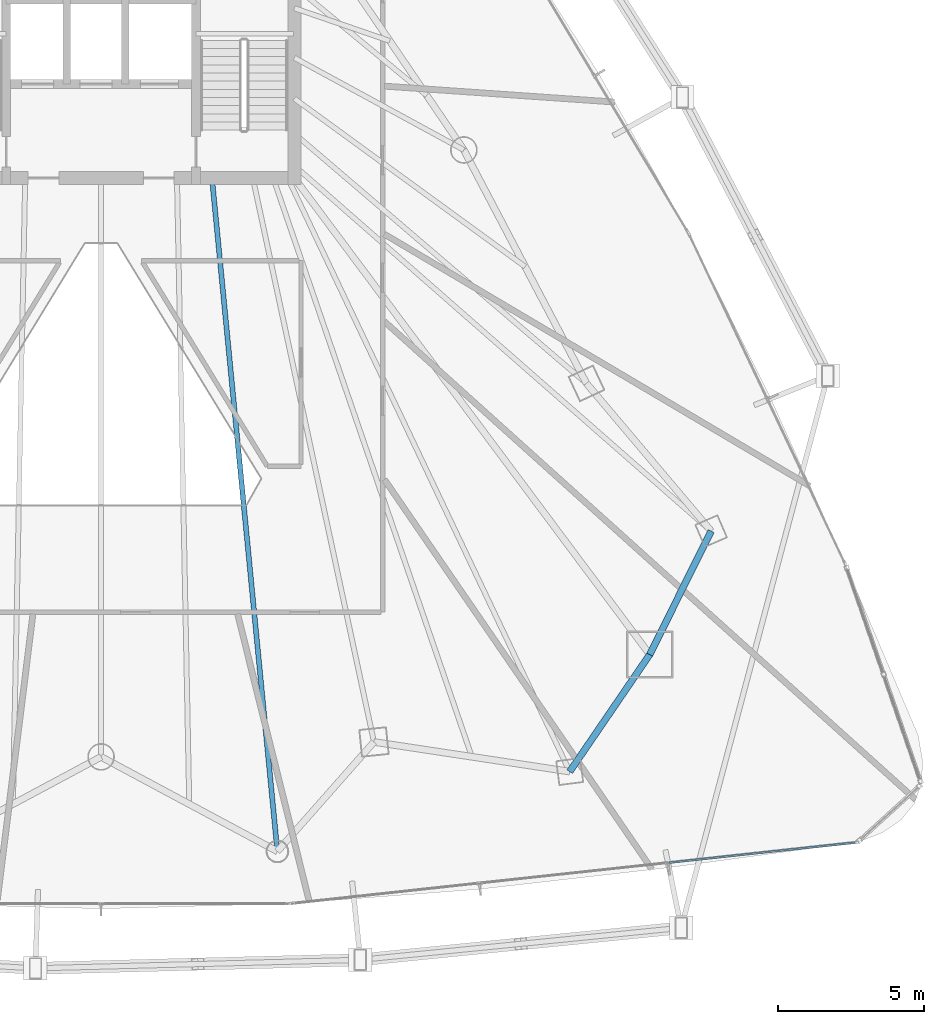
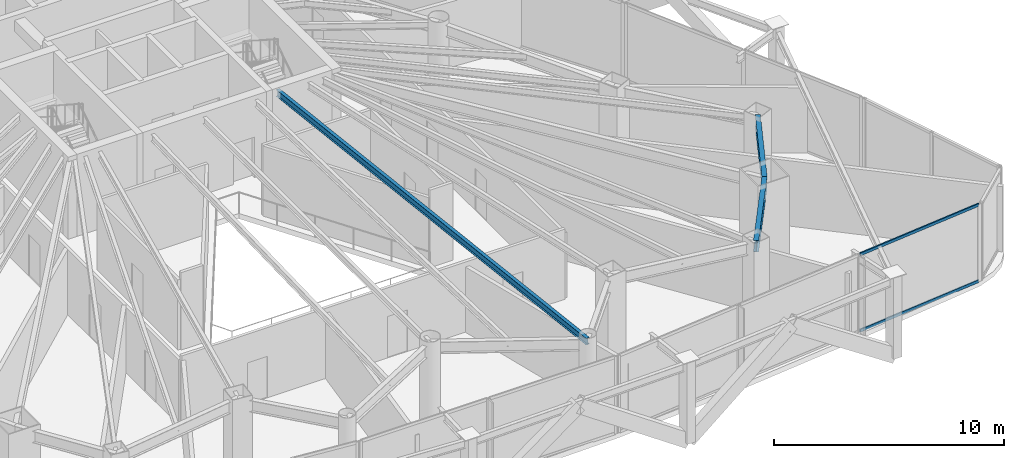
# One storey, part 13 of 33: 3 beams, 2 members, 1 element without a shape of its own.
"""IFC4 building model written with IfcOpenShell, lengths in metres."""

from ifc_helpers import new_model, si_unit, direction, frame, origin, origin_2d, place, context, subcontext, project, spatial, hollow_rectangle, i_section, extrude, material, layer, layer_set, material_profile, profile_set, type_object, element, aggregate, save


model = new_model("IFC4")

# Units and contexts
model_context = context("Model", 3, precision=1e-05, world=origin(), true_north=direction((0.0, 1.0)))
body_context = subcontext(model_context, "Body", "Model", "MODEL_VIEW")
ifc_project = project(units=[si_unit("LENGTHUNIT", "METRE"), si_unit("AREAUNIT", "SQUARE_METRE"), si_unit("VOLUMEUNIT", "CUBIC_METRE"), si_unit("PLANEANGLEUNIT", "RADIAN"), si_unit("MASSUNIT", "GRAM", prefix="KILO")], contexts=[model_context])

# Site, building, storey
site_placement = place(None, origin())
site = spatial("IfcSite", under=ifc_project, at=site_placement, CompositionType="ELEMENT")
building_placement = place(site_placement, origin())
building = spatial("IfcBuilding", under=site, at=building_placement, Name="Orvanel Arch Residences", CompositionType="ELEMENT")
storey_placement = place(building_placement, frame((0.0, 0.0, 59.89990234375)))
storey = spatial("IfcBuildingStorey", under=building, at=storey_placement, Name="L16", CompositionType="ELEMENT", Elevation=59.89990234375)

# Beams
ifc_material_1 = material(Name="Structural steel AS/NZS 3679.1 Grade 300 (300 MPa)", Category="steel")
ifc_material_profile_1 = material_profile(ifc_material_1, i_section(OverallWidth=0.1708984375, OverallDepth=0.35595703125, WebThickness=0.00732421875, FlangeThickness=0.011474609375, at=origin_2d()), Name="360UB50.7")
ifc_profile_set_1 = profile_set([ifc_material_profile_1], Name="Structural steel AS/NZS 3679.1 Grade 300 (300 MPa)")
beam_type_1 = type_object("IfcBeamType", Name="BJ-360UB", PredefinedType="JOIST", material=ifc_profile_set_1)
beam_1_placement = place(storey_placement, frame((36.800048828125, 26.675048828125, 3.93212890625), z_axis=(0.096724091756, -0.995311232768, 0.0), x_axis=(0.995311232768, 0.096724091756, 0.0)))
element("IfcBeam", 1, at=beam_1_placement, inside=storey, type_object=beam_type_1, Name="L16 LSE Wing Floor Joist", PredefinedType="JOIST", context=body_context, shape_type="SweptSolid", body=[
    extrude(i_section(OverallWidth=0.1708984375, OverallDepth=0.35595703125, WebThickness=0.00732421875, FlangeThickness=0.011474609375, at=origin_2d()), origin(), (0.0, 0.0, 1.0), 23.1787109375),
])
ifc_material_profile_2 = material_profile(ifc_material_1, i_section(OverallWidth=0.22900390625, OverallDepth=0.612060546875, WebThickness=0.011962890625, FlangeThickness=0.01953125, at=origin_2d()), Name="610UB125")
ifc_profile_set_2 = profile_set([ifc_material_profile_2], Name="Structural steel AS/NZS 3679.1 Grade 300 (300 MPa)")
beam_type_2 = type_object("IfcBeamType", Name="SP-610UB", PredefinedType="SPANDREL", material=ifc_profile_set_2)
beam_2_placement = place(storey_placement, frame((49.05908203125, 6.339111328125, 3.80419921875), z_axis=(0.564251579852, 0.825602903722, 0.0), x_axis=(-0.825602903722, 0.564251579852, 0.0)))
element("IfcBeam", 2, at=beam_2_placement, inside=storey, type_object=beam_type_2, Name="L16 Perimeter Spandrel Beam 10", PredefinedType="SPANDREL", context=body_context, shape_type="SweptSolid", body=[
    extrude(i_section(OverallWidth=0.22900390625, OverallDepth=0.612060546875, WebThickness=0.011962890625, FlangeThickness=0.01953125, at=origin_2d()), origin(), (0.0, 0.0, 1.0), 4.859375),
])
beam_3_placement = place(storey_placement, frame((51.801025390625, 10.35107421875, 3.80419921875), z_axis=(0.44543469453, 0.895314432425, 0.0), x_axis=(-0.895314432425, 0.44543469453, 0.0)))
element("IfcBeam", 3, at=beam_3_placement, inside=storey, type_object=beam_type_2, Name="L16 Perimeter Spandrel Beam 11", PredefinedType="SPANDREL", context=body_context, shape_type="SweptSolid", body=[
    extrude(i_section(OverallWidth=0.22900390625, OverallDepth=0.612060546875, WebThickness=0.011962890625, FlangeThickness=0.01953125, at=origin_2d()), origin(), (0.0, 0.0, 1.0), 4.723388671875),
])

# Curtain wall, members
ifc_material_2 = material(Name="Bronze-anodised aluminium AA6063-T6", Category="aluminium")
ifc_layer = layer(ifc_material_2, 0.195068359375)
ifc_layer_set = layer_set([ifc_layer], Name="Bronze-anodised aluminium AA6063-T6")
curtain_wall_type = type_object("IfcCurtainWallType", Name="CW6-COM-SYS", PredefinedType="NOTDEFINED", material=ifc_layer_set)
curtain_wall_placement = place(storey_placement, origin())
curtain_wall = element("IfcCurtainWall", 4, at=curtain_wall_placement, inside=storey, type_object=curtain_wall_type, Name="L16 CW6-COM-SYS Unitised Curtain Wall", PredefinedType="NOTDEFINED")
ifc_material_profile_3 = material_profile(ifc_material_2, hollow_rectangle(XDim=0.06494140625, YDim=0.14990234375, WallThickness=0.00390625, at=origin_2d()), Name="ALU150x65x4")
ifc_profile_set_3 = profile_set([ifc_material_profile_3], Name="Bronze-anodised aluminium AA6063-T6")
member_type = type_object("IfcMemberType", Name="TRN-150x65", PredefinedType="USERDEFINED", material=ifc_profile_set_3)
member_1_placement = place(storey_placement, frame((52.46826171875, 3.218017578125, 0.03271484375), z_axis=(0.994189603889, 0.107643074644, 0.0), x_axis=(-0.107643074644, 0.994189603889, 0.0)))
member_1 = element("IfcMember", 5, at=member_1_placement, type_object=member_type, Name="CW-S6 transom 3.1", ObjectType="TRANSOM", PredefinedType="USERDEFINED", context=body_context, shape_type="SweptSolid", body=[
    extrude(hollow_rectangle(XDim=0.06494140625, YDim=0.14990234375, WallThickness=0.00390625, at=origin_2d()), origin(), (0.0, 0.0, 1.0), 6.391357421875),
])
member_2_placement = place(storey_placement, frame((52.46826171875, 3.218017578125, 4.07763671875), z_axis=(0.994189603889, 0.107643074644, 0.0), x_axis=(-0.107643074644, 0.994189603889, 0.0)))
member_2 = element("IfcMember", 6, at=member_2_placement, type_object=member_type, Name="CW-S6 transom 3.2", ObjectType="TRANSOM", PredefinedType="USERDEFINED", context=body_context, shape_type="SweptSolid", body=[
    extrude(hollow_rectangle(XDim=0.06494140625, YDim=0.14990234375, WallThickness=0.00390625, at=origin_2d()), origin(), (0.0, 0.0, 1.0), 6.391357421875),
])
aggregate(curtain_wall, [member_1, member_2])

save(model, "model.ifc")
